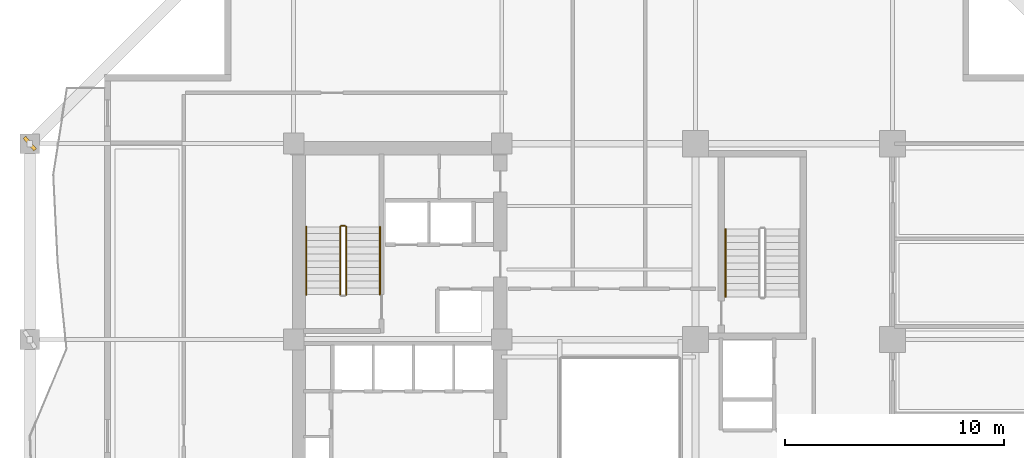
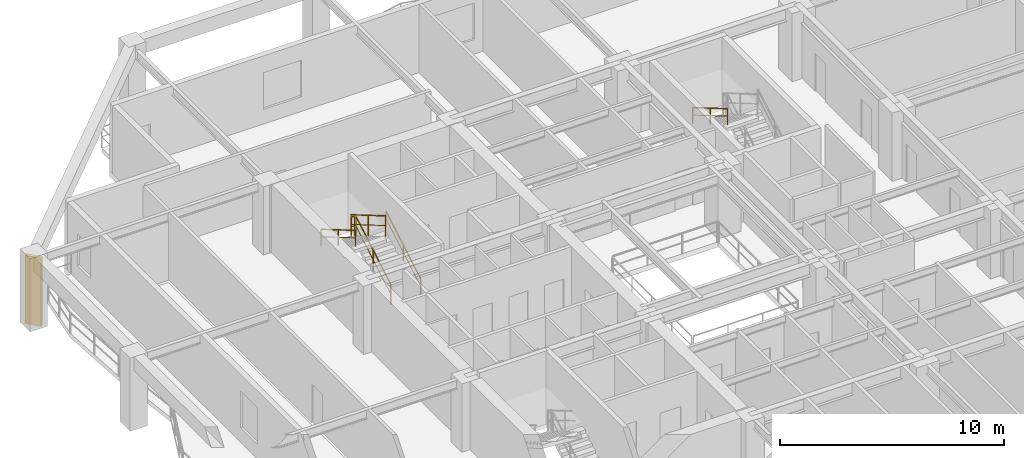
# One storey, part 11 of 13: 6 railings, 1 shading device.
"""IFC4 building model written with IfcOpenShell, lengths in metres."""

from ifc_helpers import new_model, si_unit, direction, frame, origin, origin_2d, place, context, subcontext, project, spatial, rectangle, extrude, material, type_object, element, save


model = new_model("IFC4")

# Units and contexts
model_context = context("Model", 3, precision=1e-05, world=origin(), true_north=direction((0.0, 1.0)))
body_context = subcontext(model_context, "Body", "Model", "MODEL_VIEW")
ifc_project = project(units=[si_unit("LENGTHUNIT", "METRE"), si_unit("AREAUNIT", "SQUARE_METRE"), si_unit("VOLUMEUNIT", "CUBIC_METRE"), si_unit("PLANEANGLEUNIT", "RADIAN"), si_unit("MASSUNIT", "GRAM", prefix="KILO")], contexts=[model_context])

# Site, building, storey
site_placement = place(None, origin())
site = spatial("IfcSite", under=ifc_project, at=site_placement, CompositionType="ELEMENT")
building_placement = place(site_placement, origin())
building = spatial("IfcBuilding", under=site, at=building_placement, Name="Kundavana Baori Tower", CompositionType="ELEMENT")
storey_placement = place(building_placement, frame((0.0, 0.0, 70.0)))
storey = spatial("IfcBuildingStorey", under=building, at=storey_placement, Name="L16", CompositionType="ELEMENT", Elevation=70.0)

# Railings
ifc_material_1 = material(Name="Architectural Patinated Bronze Metalwork")
railing_type_1 = type_object("IfcRailingType", Name="RL-GRD-1150", PredefinedType="GUARDRAIL", material=ifc_material_1)
railing_1_placement = place(storey_placement, frame((17.840087890625, 35.050048828125, 0.181884765625)))
element("IfcRailing", 1, at=railing_1_placement, inside=storey, type_object=railing_type_1, Name="L16 ST2 stair guard 1", PredefinedType="GUARDRAIL", context=body_context, shape_type="SweptSolid", body=[
    extrude(rectangle(XDim=0.048095703125, YDim=0.048095703125, at=origin_2d()), frame((0.0, 0.0, 1.1259765625), z_axis=(0.0, 0.86258143422, 0.50591824373), x_axis=(-1.0, 0.0, 0.0)), (0.0, 0.0, 1.0), 3.59375),
    extrude(rectangle(XDim=0.03125, YDim=0.03125, at=origin_2d()), frame((0.0, 0.0, 0.597900390625), z_axis=(0.0, 0.86258143422, 0.50591824373), x_axis=(-1.0, 0.0, 0.0)), (0.0, 0.0, 1.0), 3.59375),
    extrude(rectangle(XDim=0.0419921875, YDim=0.0419921875, at=origin_2d()), origin(), (0.0, 0.0, 1.0), 1.101806640625),
    extrude(rectangle(XDim=0.0419921875, YDim=0.0419921875, at=origin_2d()), frame((0.0, 1.5498046875, 0.9091796875)), (0.0, 0.0, 1.0), 1.101806640625),
    extrude(rectangle(XDim=0.0419921875, YDim=0.0419921875, at=origin_2d()), frame((0.0, 3.099853515625, 1.818115234375)), (0.0, 0.0, 1.0), 1.101806640625),
])
railing_2_placement = place(storey_placement, frame((17.7900390625, 38.199951171875, 2.0)))
element("IfcRailing", 2, at=railing_2_placement, inside=storey, type_object=railing_type_1, Name="L16 ST2 stair guard 2", PredefinedType="GUARDRAIL", context=body_context, shape_type="SweptSolid", body=[
    extrude(rectangle(XDim=0.048095703125, YDim=0.048095703125, at=origin_2d()), frame((0.0, 0.0, 1.1259765625), z_axis=(-1.0, 0.0, 0.0), x_axis=(0.0, -1.0, 0.0)), (0.0, 0.0, 1.0), 0.16015625),
    extrude(rectangle(XDim=0.03125, YDim=0.03125, at=origin_2d()), frame((0.0, 0.0, 0.597900390625), z_axis=(-1.0, 0.0, 0.0), x_axis=(0.0, -1.0, 0.0)), (0.0, 0.0, 1.0), 0.16015625),
    extrude(rectangle(XDim=0.0419921875, YDim=0.0419921875, at=origin_2d()), origin(), (0.0, 0.0, 1.0), 1.101806640625),
    extrude(rectangle(XDim=0.0419921875, YDim=0.0419921875, at=origin_2d()), frame((-0.16015625, 0.0, 0.0)), (0.0, 0.0, 1.0), 1.101806640625),
])
railing_3_placement = place(storey_placement, frame((17.580078125, 38.14990234375, 2.181884765625)))
element("IfcRailing", 3, at=railing_3_placement, inside=storey, type_object=railing_type_1, Name="L16 ST2 stair guard 3", PredefinedType="GUARDRAIL", context=body_context, shape_type="SweptSolid", body=[
    extrude(rectangle(XDim=0.048095703125, YDim=0.048095703125, at=origin_2d()), frame((0.0, 0.0, 1.1259765625), z_axis=(0.0, -0.86258143422, 0.50591824373), x_axis=(1.0, 0.0, 0.0)), (0.0, 0.0, 1.0), 3.59375),
    extrude(rectangle(XDim=0.03125, YDim=0.03125, at=origin_2d()), frame((0.0, 0.0, 0.597900390625), z_axis=(0.0, -0.86258143422, 0.50591824373), x_axis=(1.0, 0.0, 0.0)), (0.0, 0.0, 1.0), 3.59375),
    extrude(rectangle(XDim=0.0419921875, YDim=0.0419921875, at=origin_2d()), origin(), (0.0, 0.0, 1.0), 1.101806640625),
    extrude(rectangle(XDim=0.0419921875, YDim=0.0419921875, at=origin_2d()), frame((0.0, -1.5498046875, 0.9091796875)), (0.0, 0.0, 1.0), 1.101806640625),
    extrude(rectangle(XDim=0.0419921875, YDim=0.0419921875, at=origin_2d()), frame((0.0, -3.099853515625, 1.818115234375)), (0.0, 0.0, 1.0), 1.101806640625),
])
ifc_material_2 = material(Name="Architectural Patinated Bronze Metalwork")
railing_type_2 = type_object("IfcRailingType", Name="RL-HND-920", PredefinedType="HANDRAIL", material=ifc_material_2)
railing_4_placement = place(storey_placement, frame((19.389892578125, 35.050048828125, 0.181884765625)))
element("IfcRailing", 4, at=railing_4_placement, inside=storey, type_object=railing_type_2, Name="L16 ST2 stair handrail 1", PredefinedType="HANDRAIL", context=body_context, shape_type="SweptSolid", body=[
    extrude(rectangle(XDim=0.048095703125, YDim=0.048095703125, at=origin_2d()), frame((0.0, 0.0, 0.8759765625), z_axis=(0.0, 0.86258143422, 0.50591824373), x_axis=(-1.0, 0.0, 0.0)), (0.0, 0.0, 1.0), 3.59375),
    extrude(rectangle(XDim=0.03125, YDim=0.03125, at=origin_2d()), frame((0.0, 0.0, 0.468017578125), z_axis=(0.0, 0.86258143422, 0.50591824373), x_axis=(-1.0, 0.0, 0.0)), (0.0, 0.0, 1.0), 3.59375),
    extrude(rectangle(XDim=0.0419921875, YDim=0.0419921875, at=origin_2d()), origin(), (0.0, 0.0, 1.0), 0.851806640625),
    extrude(rectangle(XDim=0.0419921875, YDim=0.0419921875, at=origin_2d()), frame((0.0, 1.5498046875, 0.9091796875)), (0.0, 0.0, 1.0), 0.851806640625),
    extrude(rectangle(XDim=0.0419921875, YDim=0.0419921875, at=origin_2d()), frame((0.0, 3.099853515625, 1.818115234375)), (0.0, 0.0, 1.0), 0.851806640625),
])
railing_5_placement = place(storey_placement, frame((16.030029296875, 38.14990234375, 2.181884765625)))
element("IfcRailing", 5, at=railing_5_placement, inside=storey, type_object=railing_type_2, Name="L16 ST2 stair handrail 2", PredefinedType="HANDRAIL", context=body_context, shape_type="SweptSolid", body=[
    extrude(rectangle(XDim=0.048095703125, YDim=0.048095703125, at=origin_2d()), frame((0.0, 0.0, 0.8759765625), z_axis=(0.0, -0.86258143422, 0.50591824373), x_axis=(1.0, 0.0, 0.0)), (0.0, 0.0, 1.0), 3.59375),
    extrude(rectangle(XDim=0.03125, YDim=0.03125, at=origin_2d()), frame((0.0, 0.0, 0.468017578125), z_axis=(0.0, -0.86258143422, 0.50591824373), x_axis=(1.0, 0.0, 0.0)), (0.0, 0.0, 1.0), 3.59375),
    extrude(rectangle(XDim=0.0419921875, YDim=0.0419921875, at=origin_2d()), origin(), (0.0, 0.0, 1.0), 0.851806640625),
    extrude(rectangle(XDim=0.0419921875, YDim=0.0419921875, at=origin_2d()), frame((0.0, -1.5498046875, 0.9091796875)), (0.0, 0.0, 1.0), 0.851806640625),
    extrude(rectangle(XDim=0.0419921875, YDim=0.0419921875, at=origin_2d()), frame((0.0, -3.099853515625, 1.818115234375)), (0.0, 0.0, 1.0), 0.851806640625),
])
railing_6_placement = place(storey_placement, frame((35.169921875, 38.050048828125, 2.181884765625)))
element("IfcRailing", 6, at=railing_6_placement, inside=storey, type_object=railing_type_2, Name="L16 ST3 stair handrail 2", PredefinedType="HANDRAIL", context=body_context, shape_type="SweptSolid", body=[
    extrude(rectangle(XDim=0.048095703125, YDim=0.048095703125, at=origin_2d()), frame((0.0, 0.0, 0.8759765625), z_axis=(0.0, -0.862598821094, 0.505888598258), x_axis=(1.0, 0.0, 0.0)), (0.0, 0.0, 1.0), 3.593994140625),
    extrude(rectangle(XDim=0.03125, YDim=0.03125, at=origin_2d()), frame((0.0, 0.0, 0.468017578125), z_axis=(0.0, -0.862598821094, 0.505888598258), x_axis=(1.0, 0.0, 0.0)), (0.0, 0.0, 1.0), 3.593994140625),
    extrude(rectangle(XDim=0.0419921875, YDim=0.0419921875, at=origin_2d()), origin(), (0.0, 0.0, 1.0), 0.851806640625),
    extrude(rectangle(XDim=0.0419921875, YDim=0.0419921875, at=origin_2d()), frame((0.0, -1.550048828125, 0.9091796875)), (0.0, 0.0, 1.0), 0.851806640625),
    extrude(rectangle(XDim=0.0419921875, YDim=0.0419921875, at=origin_2d()), frame((0.0, -3.10009765625, 1.818115234375)), (0.0, 0.0, 1.0), 0.851806640625),
])

# Shading device
ifc_material_3 = material(Name="Red-Buff Dholpur Sandstone Cladding on Concrete C40/50", Category="masonry")
shading_device_type = type_object("IfcShadingDeviceType", Name="SHD-FIN-750", PredefinedType="JALOUSIE", material=ifc_material_3)
shading_device_placement = place(storey_placement, frame((3.39990234375, 41.949951171875, 0.0), z_axis=(0.0, 0.0, 1.0), x_axis=(0.759384877298, 0.650641689512, 0.0)))
element("IfcShadingDevice", 7, at=shading_device_placement, inside=storey, type_object=shading_device_type, Name="L16 Sweeping Dholpur Sandstone Facade Fin 8", PredefinedType="JALOUSIE", context=body_context, shape_type="SweptSolid", body=[
    extrude(rectangle(XDim=0.159912109375, YDim=0.75, at=origin_2d()), origin(), (0.0, 0.0, 1.0), 3.719970703125),
])

save(model, "model.ifc")
